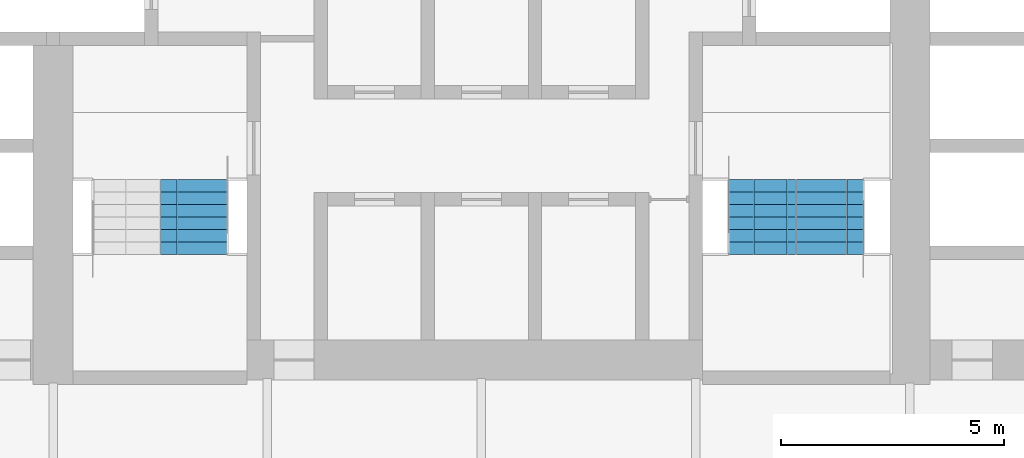
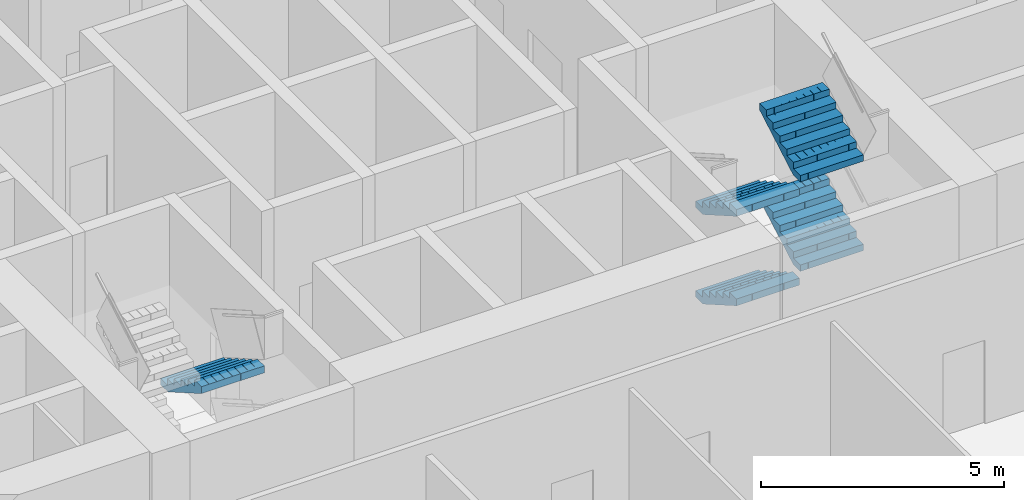
# One storey, part 21 of 27: 5 stair flights, 2 elements without a shape of their own.
"""IFC4 building model written with IfcOpenShell, lengths in metres."""

import ifcopenshell
import ifcopenshell.guid

model = None  # the IFC model being written
_history = None  # IfcOwnerHistory: only IFC2X3 demands one
_inside = {}  # id of a spatial element -> (the spatial element, [elements in it])
_under = {}  # id of a project, library or spatial element -> (it, [spatial elements below it])
_declared = {}  # id of a project -> (the project, [libraries it declares])
_typed = {}  # id of a type object -> (the type object, [elements of that type])
_made_of = {}  # id of a material, layer set ... -> (it, [elements and type objects made of it])


def new_model(schema):
    """Start an empty IFC model of exactly this schema.

    Asked for "IFC4X3", IfcOpenShell would pick the latest addendum, in which some entities
    have other attributes; the version numbers below select the first issue.
    IFC2X3 requires an IfcOwnerHistory on every rooted entity: one is made here for all.
    """
    global model, _history
    if schema == "IFC4X3":
        model = ifcopenshell.file(schema_version=(4, 3, 0, 0))
    else:
        model = ifcopenshell.file(schema=schema)
    _inside.clear()
    _under.clear()
    _declared.clear()
    _typed.clear()
    _made_of.clear()
    _history = None
    if model.schema == "IFC2X3":
        org = make("IfcOrganization", Name="unknown")
        user = make(
            "IfcPersonAndOrganization",
            ThePerson=make("IfcPerson", FamilyName="unknown"),
            TheOrganization=org,
        )
        app = make(
            "IfcApplication",
            ApplicationDeveloper=org,
            Version="unknown",
            ApplicationFullName="unknown",
            ApplicationIdentifier="unknown",
        )
        _history = make(
            "IfcOwnerHistory",
            OwningUser=user,
            OwningApplication=app,
            ChangeAction="ADDED",
            CreationDate=0,
        )
    return model


def make(cls, **values):
    """One entity of the class cls with the attributes given. An attribute that is None is left unset."""
    return model.create_entity(
        cls, **{name: value for name, value in values.items() if value is not None}
    )


def rooted(cls, **values):
    """An entity with a GlobalId (a new one), such as an element, a storey or a relation."""
    return make(cls, GlobalId=ifcopenshell.guid.new(), OwnerHistory=_history, **values)


def si_unit(unit_type, name, prefix=None):
    """IfcSIUnit, for example si_unit("LENGTHUNIT", "METRE", prefix="MILLI")."""
    return make("IfcSIUnit", UnitType=unit_type, Prefix=prefix, Name=name)


def assignment(units):
    """IfcUnitAssignment: the units of a project."""
    return None if units is None else make("IfcUnitAssignment", Units=units)


def point(xyz):
    """IfcCartesianPoint."""
    return None if xyz is None else make("IfcCartesianPoint", Coordinates=xyz)


def direction(xyz):
    """IfcDirection."""
    return None if xyz is None else make("IfcDirection", DirectionRatios=xyz)


def frame(location, z_axis=None, x_axis=None):
    """IfcAxis2Placement3D, a coordinate frame: its origin and axes. An axis left out is left unset."""
    return make(
        "IfcAxis2Placement3D",
        Location=point(location),
        Axis=direction(z_axis),
        RefDirection=direction(x_axis),
    )


def origin():
    """The frame at (0, 0, 0) with its axes left unset."""
    return frame((0.0, 0.0, 0.0))


def place(relative_to, where):
    """IfcLocalPlacement: puts the frame where relative to a parent placement (None: the world)."""
    return make(
        "IfcLocalPlacement", PlacementRelTo=relative_to, RelativePlacement=where
    )


def context(
    kind, dimensions, precision=None, world=None, true_north=None, identifier=None
):
    """IfcGeometricRepresentationContext, for example the 3D "Model" context."""
    return make(
        "IfcGeometricRepresentationContext",
        ContextIdentifier=identifier,
        ContextType=kind,
        CoordinateSpaceDimension=dimensions,
        Precision=precision,
        WorldCoordinateSystem=world,
        TrueNorth=true_north,
    )


def subcontext(parent, identifier, kind, view, scale=None):
    """IfcGeometricRepresentationSubContext, for example "Body" below "Model"."""
    return make(
        "IfcGeometricRepresentationSubContext",
        ContextIdentifier=identifier,
        ContextType=kind,
        ParentContext=parent,
        TargetScale=scale,
        TargetView=view,
    )


def project(units=None, contexts=None):
    """IfcProject with its units and contexts."""
    return rooted(
        "IfcProject",
        Name="project",
        RepresentationContexts=contexts,
        UnitsInContext=assignment(units),
    )


def spatial(cls, under=None, at=None, **own):
    """A site, building, storey or space (cls), placed at a placement, below another one or the project."""
    s = rooted(cls, ObjectPlacement=at, **own)
    if under is not None:
        _under.setdefault(under.id(), (under, []))[1].append(s)
    return s


def polyline(points):
    """IfcPolyline through the points."""
    return make("IfcPolyline", Points=[point(p) for p in points])


def outline(outer, holes=None, kind="AREA"):
    """IfcArbitraryClosedProfileDef: a profile drawn as a closed curve; with holes, ...WithVoids."""
    if holes is None:
        return make("IfcArbitraryClosedProfileDef", ProfileType=kind, OuterCurve=outer)
    return make(
        "IfcArbitraryProfileDefWithVoids",
        ProfileType=kind,
        OuterCurve=outer,
        InnerCurves=holes,
    )


def extrude(swept, where, along, depth):
    """IfcExtrudedAreaSolid: the profile swept, set in the frame where, extruded along a direction by depth."""
    return make(
        "IfcExtrudedAreaSolid",
        SweptArea=swept,
        Position=where,
        ExtrudedDirection=direction(along),
        Depth=depth,
    )


def shape(context_of_items, identifier, shape_type, items):
    """IfcShapeRepresentation: the items that make up one representation, for example the "Body"."""
    return make(
        "IfcShapeRepresentation",
        ContextOfItems=context_of_items,
        RepresentationIdentifier=identifier,
        RepresentationType=shape_type,
        Items=items,
    )


def material(Name=None, Category=None):
    """IfcMaterial."""
    return make("IfcMaterial", Name=Name, Category=Category)


def made_of(thing, what):
    """Note that an element or type object is made of a material, layer set ...; save() writes the relation."""
    if what is not None:
        _made_of.setdefault(what.id(), (what, []))[1].append(thing)
    return thing


def type_object(cls, material=None, **own):
    """A type object (cls), such as IfcWallType, which elements share."""
    return made_of(rooted(cls, **own), material)


def element(
    cls,
    number,
    at=None,
    inside=None,
    cuts=None,
    type_object=None,
    material=None,
    context=None,
    identifier="Body",
    shape_type=None,
    held_by="IfcProductDefinitionShape",
    body=None,
    shapes=None,
    **own,
):
    """One element of the class cls, such as IfcWall. Its Tag is "e" and its number.

    at: its placement. inside: the storey or other place that contains it. cuts: it is an
    opening in that element (IfcRelVoidsElement). A single representation is given by context,
    identifier, shape_type and body (its items); several are given by shapes. held_by: the class
    of the entity that holds the representations. save() writes the other relations.
    """
    e = rooted(cls, Tag="e%d" % number, ObjectPlacement=at, **own)
    if body is not None:
        shapes = [shape(context, identifier, shape_type, body)]
    if shapes is not None:
        e.Representation = make(held_by, Representations=shapes)
    if inside is not None:
        _inside.setdefault(inside.id(), (inside, []))[1].append(e)
    if cuts is not None:
        rooted(
            "IfcRelVoidsElement", RelatingBuildingElement=cuts, RelatedOpeningElement=e
        )
    if type_object is not None:
        _typed.setdefault(type_object.id(), (type_object, []))[1].append(e)
    return made_of(e, material)


def aggregate(whole, parts):
    """IfcRelAggregates: a whole, such as a stair, and the parts it consists of."""
    return rooted("IfcRelAggregates", RelatingObject=whole, RelatedObjects=parts)


def save(model, path):
    """Write the relations noted so far, then the file.

    IfcRelAggregates (storeys below a building ...), IfcRelContainedInSpatialStructure (elements
    in a storey), IfcRelDefinesByType, IfcRelAssociatesMaterial and IfcRelDeclares: one each for
    every whole, place, type object, material and project.
    """
    for whole, parts in _under.values():
        aggregate(whole, parts)
    for where, things in _inside.values():
        rooted(
            "IfcRelContainedInSpatialStructure",
            RelatedElements=things,
            RelatingStructure=where,
        )
    for kind, things in _typed.values():
        rooted("IfcRelDefinesByType", RelatedObjects=things, RelatingType=kind)
    for what, things in _made_of.values():
        rooted("IfcRelAssociatesMaterial", RelatedObjects=things, RelatingMaterial=what)
    for by, libraries in _declared.values():
        rooted("IfcRelDeclares", RelatingContext=by, RelatedDefinitions=libraries)
    model.write(path)


model = new_model("IFC4")

# Units and contexts
model_context = context("Model", 3, precision=1e-05, world=origin(), true_north=direction((0.0, 1.0)))
body_context = subcontext(model_context, "Body", "Model", "MODEL_VIEW")
ifc_project = project(units=[si_unit("LENGTHUNIT", "METRE"), si_unit("AREAUNIT", "SQUARE_METRE"), si_unit("VOLUMEUNIT", "CUBIC_METRE"), si_unit("PLANEANGLEUNIT", "RADIAN"), si_unit("MASSUNIT", "GRAM", prefix="KILO")], contexts=[model_context])

# Site, building, storey
site_placement = place(None, origin())
site = spatial("IfcSite", under=ifc_project, at=site_placement, CompositionType="ELEMENT")
building_placement = place(site_placement, origin())
building = spatial("IfcBuilding", under=site, at=building_placement, Name="Kolab Exchange Tower", CompositionType="ELEMENT")
storey_placement = place(building_placement, frame((0.0, 0.0, 118.39990234375)))
storey = spatial("IfcBuildingStorey", under=building, at=storey_placement, Name="L23", CompositionType="ELEMENT", Elevation=118.39990234375)

# Stair, stair flight
ifc_material = material(Name="Concrete C50/60", Category="concrete")
stair_type_1 = type_object("IfcStairType", Name="STAIR ST3 RISER 160.7", PredefinedType="DOUBLE_RETURN_STAIR", material=ifc_material)
stair_1_placement = place(storey_placement, origin())
stair_1 = element("IfcStair", 1, at=stair_1_placement, inside=storey, type_object=stair_type_1, Name="Stair 3", PredefinedType="DOUBLE_RETURN_STAIR")
stair_flight_type = type_object("IfcStairFlightType", Name="STAIR FLIGHT 1500 RISER 160.7", PredefinedType="STRAIGHT", material=ifc_material)
stair_flight_1_placement = place(storey_placement, frame((-6.43994140625, -5.550048828125, 2.25), z_axis=(0.0, 0.0, 1.0), x_axis=(0.0, -1.0, 0.0)))
stair_flight_1 = element("IfcStairFlight", 2, at=stair_flight_1_placement, type_object=stair_flight_type, Name="ST3 flight 3", NumberOfRisers=7, NumberOfTreads=6, PredefinedType="STRAIGHT", RiserHeight=0.160714286, TreadLength=0.28, context=body_context, shape_type="SweptSolid", body=[
    extrude(outline(polyline([(0.0, 0.0), (0.0, 0.16064453125), (0.280029296875, 0.16064453125), (0.280029296875, 0.321533203125), (0.56005859375, 0.321533203125), (0.56005859375, 0.482177734375), (0.840087890625, 0.482177734375), (0.840087890625, 0.642822265625), (1.1201171875, 0.642822265625), (1.1201171875, 0.803466796875), (1.39990234375, 0.803466796875), (1.39990234375, 0.96435546875), (1.679931640625, 0.96435546875), (1.679931640625, 1.125), (1.679931640625, 0.79150390625), (0.301025390625, 0.0), (0.0, 0.0)])), frame((0.0, 0.75, 0.0), z_axis=(0.0, -1.0, 0.0), x_axis=(1.0, 0.0, 0.0)), (0.0, 0.0, 1.0), 0.185791015625),
    extrude(outline(polyline([(0.0, 0.0), (0.0, 0.16064453125), (0.280029296875, 0.16064453125), (0.280029296875, 0.321533203125), (0.56005859375, 0.321533203125), (0.56005859375, 0.482177734375), (0.840087890625, 0.482177734375), (0.840087890625, 0.642822265625), (1.1201171875, 0.642822265625), (1.1201171875, 0.803466796875), (1.39990234375, 0.803466796875), (1.39990234375, 0.96435546875), (1.679931640625, 0.96435546875), (1.679931640625, 1.125), (1.679931640625, 0.79150390625), (0.301025390625, 0.0), (0.0, 0.0)])), frame((0.0, 0.562255859375, 0.0), z_axis=(0.0, -1.0, 0.0), x_axis=(1.0, 0.0, 0.0)), (0.0, 0.0, 1.0), 0.185791015625),
    extrude(outline(polyline([(0.0, 0.0), (0.0, 0.16064453125), (0.280029296875, 0.16064453125), (0.280029296875, 0.321533203125), (0.56005859375, 0.321533203125), (0.56005859375, 0.482177734375), (0.840087890625, 0.482177734375), (0.840087890625, 0.642822265625), (1.1201171875, 0.642822265625), (1.1201171875, 0.803466796875), (1.39990234375, 0.803466796875), (1.39990234375, 0.96435546875), (1.679931640625, 0.96435546875), (1.679931640625, 1.125), (1.679931640625, 0.79150390625), (0.301025390625, 0.0), (0.0, 0.0)])), frame((0.0, 0.37451171875, 0.0), z_axis=(0.0, -1.0, 0.0), x_axis=(1.0, 0.0, 0.0)), (0.0, 0.0, 1.0), 0.185791015625),
    extrude(outline(polyline([(0.0, 0.0), (0.0, 0.16064453125), (0.280029296875, 0.16064453125), (0.280029296875, 0.321533203125), (0.56005859375, 0.321533203125), (0.56005859375, 0.482177734375), (0.840087890625, 0.482177734375), (0.840087890625, 0.642822265625), (1.1201171875, 0.642822265625), (1.1201171875, 0.803466796875), (1.39990234375, 0.803466796875), (1.39990234375, 0.96435546875), (1.679931640625, 0.96435546875), (1.679931640625, 1.125), (1.679931640625, 0.79150390625), (0.301025390625, 0.0), (0.0, 0.0)])), frame((0.0, 0.186767578125, 0.0), z_axis=(0.0, -1.0, 0.0), x_axis=(1.0, 0.0, 0.0)), (0.0, 0.0, 1.0), 0.185791015625),
    extrude(outline(polyline([(0.0, 0.0), (0.0, 0.16064453125), (0.280029296875, 0.16064453125), (0.280029296875, 0.321533203125), (0.56005859375, 0.321533203125), (0.56005859375, 0.482177734375), (0.840087890625, 0.482177734375), (0.840087890625, 0.642822265625), (1.1201171875, 0.642822265625), (1.1201171875, 0.803466796875), (1.39990234375, 0.803466796875), (1.39990234375, 0.96435546875), (1.679931640625, 0.96435546875), (1.679931640625, 1.125), (1.679931640625, 0.79150390625), (0.301025390625, 0.0), (0.0, 0.0)])), frame((0.0, -0.0009765625, 0.0), z_axis=(0.0, -1.0, 0.0), x_axis=(1.0, 0.0, 0.0)), (0.0, 0.0, 1.0), 0.185791015625),
    extrude(outline(polyline([(0.0, 0.0), (0.0, 0.16064453125), (0.280029296875, 0.16064453125), (0.280029296875, 0.321533203125), (0.56005859375, 0.321533203125), (0.56005859375, 0.482177734375), (0.840087890625, 0.482177734375), (0.840087890625, 0.642822265625), (1.1201171875, 0.642822265625), (1.1201171875, 0.803466796875), (1.39990234375, 0.803466796875), (1.39990234375, 0.96435546875), (1.679931640625, 0.96435546875), (1.679931640625, 1.125), (1.679931640625, 0.79150390625), (0.301025390625, 0.0), (0.0, 0.0)])), frame((0.0, -0.188720703125, 0.0), z_axis=(0.0, -1.0, 0.0), x_axis=(1.0, 0.0, 0.0)), (0.0, 0.0, 1.0), 0.185791015625),
    extrude(outline(polyline([(0.0, 0.0), (0.0, 0.16064453125), (0.280029296875, 0.16064453125), (0.280029296875, 0.321533203125), (0.56005859375, 0.321533203125), (0.56005859375, 0.482177734375), (0.840087890625, 0.482177734375), (0.840087890625, 0.642822265625), (1.1201171875, 0.642822265625), (1.1201171875, 0.803466796875), (1.39990234375, 0.803466796875), (1.39990234375, 0.96435546875), (1.679931640625, 0.96435546875), (1.679931640625, 1.125), (1.679931640625, 0.79150390625), (0.301025390625, 0.0), (0.0, 0.0)])), frame((0.0, -0.37646484375, 0.0), z_axis=(0.0, -1.0, 0.0), x_axis=(1.0, 0.0, 0.0)), (0.0, 0.0, 1.0), 0.185791015625),
    extrude(outline(polyline([(0.0, 0.0), (0.0, 0.16064453125), (0.280029296875, 0.16064453125), (0.280029296875, 0.321533203125), (0.56005859375, 0.321533203125), (0.56005859375, 0.482177734375), (0.840087890625, 0.482177734375), (0.840087890625, 0.642822265625), (1.1201171875, 0.642822265625), (1.1201171875, 0.803466796875), (1.39990234375, 0.803466796875), (1.39990234375, 0.96435546875), (1.679931640625, 0.96435546875), (1.679931640625, 1.125), (1.679931640625, 0.79150390625), (0.301025390625, 0.0), (0.0, 0.0)])), frame((0.0, -0.564208984375, 0.0), z_axis=(0.0, -1.0, 0.0), x_axis=(1.0, 0.0, 0.0)), (0.0, 0.0, 1.0), 0.185791015625),
])
aggregate(stair_1, [stair_flight_1])

# Stair, stair flights
stair_type_2 = type_object("IfcStairType", Name="STAIR ST2 RISER 160.7", PredefinedType="DOUBLE_RETURN_STAIR", material=ifc_material)
stair_2_placement = place(storey_placement, origin())
stair_2 = element("IfcStair", 3, at=stair_2_placement, inside=storey, type_object=stair_type_2, Name="Stair 2", PredefinedType="DOUBLE_RETURN_STAIR")
stair_flight_2_placement = place(storey_placement, frame((6.2900390625, -5.550048828125, 0.0), z_axis=(0.0, 0.0, 1.0), x_axis=(0.0, -1.0, 0.0)))
stair_flight_2 = element("IfcStairFlight", 4, at=stair_flight_2_placement, type_object=stair_flight_type, Name="ST2 flight 1", NumberOfRisers=7, NumberOfTreads=6, PredefinedType="STRAIGHT", RiserHeight=0.160714286, TreadLength=0.28, context=body_context, shape_type="SweptSolid", body=[
    extrude(outline(polyline([(0.0, 0.0), (0.0, 0.16064453125), (0.280029296875, 0.16064453125), (0.280029296875, 0.321533203125), (0.56005859375, 0.321533203125), (0.56005859375, 0.482177734375), (0.840087890625, 0.482177734375), (0.840087890625, 0.642822265625), (1.1201171875, 0.642822265625), (1.1201171875, 0.803466796875), (1.39990234375, 0.803466796875), (1.39990234375, 0.96435546875), (1.679931640625, 0.96435546875), (1.679931640625, 1.125), (1.679931640625, 0.79150390625), (0.301025390625, 0.0), (0.0, 0.0)])), frame((0.0, 0.75, 0.0), z_axis=(0.0, -1.0, 0.0), x_axis=(1.0, 0.0, 0.0)), (0.0, 0.0, 1.0), 0.185791015625),
    extrude(outline(polyline([(0.0, 0.0), (0.0, 0.16064453125), (0.280029296875, 0.16064453125), (0.280029296875, 0.321533203125), (0.56005859375, 0.321533203125), (0.56005859375, 0.482177734375), (0.840087890625, 0.482177734375), (0.840087890625, 0.642822265625), (1.1201171875, 0.642822265625), (1.1201171875, 0.803466796875), (1.39990234375, 0.803466796875), (1.39990234375, 0.96435546875), (1.679931640625, 0.96435546875), (1.679931640625, 1.125), (1.679931640625, 0.79150390625), (0.301025390625, 0.0), (0.0, 0.0)])), frame((0.0, 0.562255859375, 0.0), z_axis=(0.0, -1.0, 0.0), x_axis=(1.0, 0.0, 0.0)), (0.0, 0.0, 1.0), 0.185791015625),
    extrude(outline(polyline([(0.0, 0.0), (0.0, 0.16064453125), (0.280029296875, 0.16064453125), (0.280029296875, 0.321533203125), (0.56005859375, 0.321533203125), (0.56005859375, 0.482177734375), (0.840087890625, 0.482177734375), (0.840087890625, 0.642822265625), (1.1201171875, 0.642822265625), (1.1201171875, 0.803466796875), (1.39990234375, 0.803466796875), (1.39990234375, 0.96435546875), (1.679931640625, 0.96435546875), (1.679931640625, 1.125), (1.679931640625, 0.79150390625), (0.301025390625, 0.0), (0.0, 0.0)])), frame((0.0, 0.37451171875, 0.0), z_axis=(0.0, -1.0, 0.0), x_axis=(1.0, 0.0, 0.0)), (0.0, 0.0, 1.0), 0.185791015625),
    extrude(outline(polyline([(0.0, 0.0), (0.0, 0.16064453125), (0.280029296875, 0.16064453125), (0.280029296875, 0.321533203125), (0.56005859375, 0.321533203125), (0.56005859375, 0.482177734375), (0.840087890625, 0.482177734375), (0.840087890625, 0.642822265625), (1.1201171875, 0.642822265625), (1.1201171875, 0.803466796875), (1.39990234375, 0.803466796875), (1.39990234375, 0.96435546875), (1.679931640625, 0.96435546875), (1.679931640625, 1.125), (1.679931640625, 0.79150390625), (0.301025390625, 0.0), (0.0, 0.0)])), frame((0.0, 0.186767578125, 0.0), z_axis=(0.0, -1.0, 0.0), x_axis=(1.0, 0.0, 0.0)), (0.0, 0.0, 1.0), 0.185791015625),
    extrude(outline(polyline([(0.0, 0.0), (0.0, 0.16064453125), (0.280029296875, 0.16064453125), (0.280029296875, 0.321533203125), (0.56005859375, 0.321533203125), (0.56005859375, 0.482177734375), (0.840087890625, 0.482177734375), (0.840087890625, 0.642822265625), (1.1201171875, 0.642822265625), (1.1201171875, 0.803466796875), (1.39990234375, 0.803466796875), (1.39990234375, 0.96435546875), (1.679931640625, 0.96435546875), (1.679931640625, 1.125), (1.679931640625, 0.79150390625), (0.301025390625, 0.0), (0.0, 0.0)])), frame((0.0, -0.0009765625, 0.0), z_axis=(0.0, -1.0, 0.0), x_axis=(1.0, 0.0, 0.0)), (0.0, 0.0, 1.0), 0.185791015625),
    extrude(outline(polyline([(0.0, 0.0), (0.0, 0.16064453125), (0.280029296875, 0.16064453125), (0.280029296875, 0.321533203125), (0.56005859375, 0.321533203125), (0.56005859375, 0.482177734375), (0.840087890625, 0.482177734375), (0.840087890625, 0.642822265625), (1.1201171875, 0.642822265625), (1.1201171875, 0.803466796875), (1.39990234375, 0.803466796875), (1.39990234375, 0.96435546875), (1.679931640625, 0.96435546875), (1.679931640625, 1.125), (1.679931640625, 0.79150390625), (0.301025390625, 0.0), (0.0, 0.0)])), frame((0.0, -0.188720703125, 0.0), z_axis=(0.0, -1.0, 0.0), x_axis=(1.0, 0.0, 0.0)), (0.0, 0.0, 1.0), 0.185791015625),
    extrude(outline(polyline([(0.0, 0.0), (0.0, 0.16064453125), (0.280029296875, 0.16064453125), (0.280029296875, 0.321533203125), (0.56005859375, 0.321533203125), (0.56005859375, 0.482177734375), (0.840087890625, 0.482177734375), (0.840087890625, 0.642822265625), (1.1201171875, 0.642822265625), (1.1201171875, 0.803466796875), (1.39990234375, 0.803466796875), (1.39990234375, 0.96435546875), (1.679931640625, 0.96435546875), (1.679931640625, 1.125), (1.679931640625, 0.79150390625), (0.301025390625, 0.0), (0.0, 0.0)])), frame((0.0, -0.37646484375, 0.0), z_axis=(0.0, -1.0, 0.0), x_axis=(1.0, 0.0, 0.0)), (0.0, 0.0, 1.0), 0.185791015625),
    extrude(outline(polyline([(0.0, 0.0), (0.0, 0.16064453125), (0.280029296875, 0.16064453125), (0.280029296875, 0.321533203125), (0.56005859375, 0.321533203125), (0.56005859375, 0.482177734375), (0.840087890625, 0.482177734375), (0.840087890625, 0.642822265625), (1.1201171875, 0.642822265625), (1.1201171875, 0.803466796875), (1.39990234375, 0.803466796875), (1.39990234375, 0.96435546875), (1.679931640625, 0.96435546875), (1.679931640625, 1.125), (1.679931640625, 0.79150390625), (0.301025390625, 0.0), (0.0, 0.0)])), frame((0.0, -0.564208984375, 0.0), z_axis=(0.0, -1.0, 0.0), x_axis=(1.0, 0.0, 0.0)), (0.0, 0.0, 1.0), 0.185791015625),
])
stair_flight_3_placement = place(storey_placement, frame((7.81005859375, -7.22998046875, 1.125), z_axis=(0.0, 0.0, 1.0), x_axis=(0.0, 1.0, 0.0)))
stair_flight_3 = element("IfcStairFlight", 5, at=stair_flight_3_placement, type_object=stair_flight_type, Name="ST2 flight 2", NumberOfRisers=7, NumberOfTreads=6, PredefinedType="STRAIGHT", RiserHeight=0.160714286, TreadLength=0.28, context=body_context, shape_type="SweptSolid", body=[
    extrude(outline(polyline([(0.0, 0.0), (0.0, 0.16064453125), (0.280029296875, 0.16064453125), (0.280029296875, 0.321533203125), (0.56005859375, 0.321533203125), (0.56005859375, 0.482177734375), (0.840087890625, 0.482177734375), (0.840087890625, 0.642822265625), (1.1201171875, 0.642822265625), (1.1201171875, 0.803466796875), (1.39990234375, 0.803466796875), (1.39990234375, 0.96435546875), (1.679931640625, 0.96435546875), (1.679931640625, 1.125), (1.679931640625, 0.79150390625), (0.301025390625, 0.0), (0.0, 0.0)])), frame((0.0, 0.75, 0.0), z_axis=(0.0, -1.0, 0.0), x_axis=(1.0, 0.0, 0.0)), (0.0, 0.0, 1.0), 0.185791015625),
    extrude(outline(polyline([(0.0, 0.0), (0.0, 0.16064453125), (0.280029296875, 0.16064453125), (0.280029296875, 0.321533203125), (0.56005859375, 0.321533203125), (0.56005859375, 0.482177734375), (0.840087890625, 0.482177734375), (0.840087890625, 0.642822265625), (1.1201171875, 0.642822265625), (1.1201171875, 0.803466796875), (1.39990234375, 0.803466796875), (1.39990234375, 0.96435546875), (1.679931640625, 0.96435546875), (1.679931640625, 1.125), (1.679931640625, 0.79150390625), (0.301025390625, 0.0), (0.0, 0.0)])), frame((0.0, 0.562255859375, 0.0), z_axis=(0.0, -1.0, 0.0), x_axis=(1.0, 0.0, 0.0)), (0.0, 0.0, 1.0), 0.185791015625),
    extrude(outline(polyline([(0.0, 0.0), (0.0, 0.16064453125), (0.280029296875, 0.16064453125), (0.280029296875, 0.321533203125), (0.56005859375, 0.321533203125), (0.56005859375, 0.482177734375), (0.840087890625, 0.482177734375), (0.840087890625, 0.642822265625), (1.1201171875, 0.642822265625), (1.1201171875, 0.803466796875), (1.39990234375, 0.803466796875), (1.39990234375, 0.96435546875), (1.679931640625, 0.96435546875), (1.679931640625, 1.125), (1.679931640625, 0.79150390625), (0.301025390625, 0.0), (0.0, 0.0)])), frame((0.0, 0.37451171875, 0.0), z_axis=(0.0, -1.0, 0.0), x_axis=(1.0, 0.0, 0.0)), (0.0, 0.0, 1.0), 0.185791015625),
    extrude(outline(polyline([(0.0, 0.0), (0.0, 0.16064453125), (0.280029296875, 0.16064453125), (0.280029296875, 0.321533203125), (0.56005859375, 0.321533203125), (0.56005859375, 0.482177734375), (0.840087890625, 0.482177734375), (0.840087890625, 0.642822265625), (1.1201171875, 0.642822265625), (1.1201171875, 0.803466796875), (1.39990234375, 0.803466796875), (1.39990234375, 0.96435546875), (1.679931640625, 0.96435546875), (1.679931640625, 1.125), (1.679931640625, 0.79150390625), (0.301025390625, 0.0), (0.0, 0.0)])), frame((0.0, 0.186767578125, 0.0), z_axis=(0.0, -1.0, 0.0), x_axis=(1.0, 0.0, 0.0)), (0.0, 0.0, 1.0), 0.185791015625),
    extrude(outline(polyline([(0.0, 0.0), (0.0, 0.16064453125), (0.280029296875, 0.16064453125), (0.280029296875, 0.321533203125), (0.56005859375, 0.321533203125), (0.56005859375, 0.482177734375), (0.840087890625, 0.482177734375), (0.840087890625, 0.642822265625), (1.1201171875, 0.642822265625), (1.1201171875, 0.803466796875), (1.39990234375, 0.803466796875), (1.39990234375, 0.96435546875), (1.679931640625, 0.96435546875), (1.679931640625, 1.125), (1.679931640625, 0.79150390625), (0.301025390625, 0.0), (0.0, 0.0)])), frame((0.0, -0.0009765625, 0.0), z_axis=(0.0, -1.0, 0.0), x_axis=(1.0, 0.0, 0.0)), (0.0, 0.0, 1.0), 0.185791015625),
    extrude(outline(polyline([(0.0, 0.0), (0.0, 0.16064453125), (0.280029296875, 0.16064453125), (0.280029296875, 0.321533203125), (0.56005859375, 0.321533203125), (0.56005859375, 0.482177734375), (0.840087890625, 0.482177734375), (0.840087890625, 0.642822265625), (1.1201171875, 0.642822265625), (1.1201171875, 0.803466796875), (1.39990234375, 0.803466796875), (1.39990234375, 0.96435546875), (1.679931640625, 0.96435546875), (1.679931640625, 1.125), (1.679931640625, 0.79150390625), (0.301025390625, 0.0), (0.0, 0.0)])), frame((0.0, -0.188720703125, 0.0), z_axis=(0.0, -1.0, 0.0), x_axis=(1.0, 0.0, 0.0)), (0.0, 0.0, 1.0), 0.185791015625),
    extrude(outline(polyline([(0.0, 0.0), (0.0, 0.16064453125), (0.280029296875, 0.16064453125), (0.280029296875, 0.321533203125), (0.56005859375, 0.321533203125), (0.56005859375, 0.482177734375), (0.840087890625, 0.482177734375), (0.840087890625, 0.642822265625), (1.1201171875, 0.642822265625), (1.1201171875, 0.803466796875), (1.39990234375, 0.803466796875), (1.39990234375, 0.96435546875), (1.679931640625, 0.96435546875), (1.679931640625, 1.125), (1.679931640625, 0.79150390625), (0.301025390625, 0.0), (0.0, 0.0)])), frame((0.0, -0.37646484375, 0.0), z_axis=(0.0, -1.0, 0.0), x_axis=(1.0, 0.0, 0.0)), (0.0, 0.0, 1.0), 0.185791015625),
    extrude(outline(polyline([(0.0, 0.0), (0.0, 0.16064453125), (0.280029296875, 0.16064453125), (0.280029296875, 0.321533203125), (0.56005859375, 0.321533203125), (0.56005859375, 0.482177734375), (0.840087890625, 0.482177734375), (0.840087890625, 0.642822265625), (1.1201171875, 0.642822265625), (1.1201171875, 0.803466796875), (1.39990234375, 0.803466796875), (1.39990234375, 0.96435546875), (1.679931640625, 0.96435546875), (1.679931640625, 1.125), (1.679931640625, 0.79150390625), (0.301025390625, 0.0), (0.0, 0.0)])), frame((0.0, -0.564208984375, 0.0), z_axis=(0.0, -1.0, 0.0), x_axis=(1.0, 0.0, 0.0)), (0.0, 0.0, 1.0), 0.185791015625),
])
stair_flight_4_placement = place(storey_placement, frame((6.2900390625, -5.550048828125, 2.25), z_axis=(0.0, 0.0, 1.0), x_axis=(0.0, -1.0, 0.0)))
stair_flight_4 = element("IfcStairFlight", 6, at=stair_flight_4_placement, type_object=stair_flight_type, Name="ST2 flight 3", NumberOfRisers=7, NumberOfTreads=6, PredefinedType="STRAIGHT", RiserHeight=0.160714286, TreadLength=0.28, context=body_context, shape_type="SweptSolid", body=[
    extrude(outline(polyline([(0.0, 0.0), (0.0, 0.16064453125), (0.280029296875, 0.16064453125), (0.280029296875, 0.321533203125), (0.56005859375, 0.321533203125), (0.56005859375, 0.482177734375), (0.840087890625, 0.482177734375), (0.840087890625, 0.642822265625), (1.1201171875, 0.642822265625), (1.1201171875, 0.803466796875), (1.39990234375, 0.803466796875), (1.39990234375, 0.96435546875), (1.679931640625, 0.96435546875), (1.679931640625, 1.125), (1.679931640625, 0.79150390625), (0.301025390625, 0.0), (0.0, 0.0)])), frame((0.0, 0.75, 0.0), z_axis=(0.0, -1.0, 0.0), x_axis=(1.0, 0.0, 0.0)), (0.0, 0.0, 1.0), 0.185791015625),
    extrude(outline(polyline([(0.0, 0.0), (0.0, 0.16064453125), (0.280029296875, 0.16064453125), (0.280029296875, 0.321533203125), (0.56005859375, 0.321533203125), (0.56005859375, 0.482177734375), (0.840087890625, 0.482177734375), (0.840087890625, 0.642822265625), (1.1201171875, 0.642822265625), (1.1201171875, 0.803466796875), (1.39990234375, 0.803466796875), (1.39990234375, 0.96435546875), (1.679931640625, 0.96435546875), (1.679931640625, 1.125), (1.679931640625, 0.79150390625), (0.301025390625, 0.0), (0.0, 0.0)])), frame((0.0, 0.562255859375, 0.0), z_axis=(0.0, -1.0, 0.0), x_axis=(1.0, 0.0, 0.0)), (0.0, 0.0, 1.0), 0.185791015625),
    extrude(outline(polyline([(0.0, 0.0), (0.0, 0.16064453125), (0.280029296875, 0.16064453125), (0.280029296875, 0.321533203125), (0.56005859375, 0.321533203125), (0.56005859375, 0.482177734375), (0.840087890625, 0.482177734375), (0.840087890625, 0.642822265625), (1.1201171875, 0.642822265625), (1.1201171875, 0.803466796875), (1.39990234375, 0.803466796875), (1.39990234375, 0.96435546875), (1.679931640625, 0.96435546875), (1.679931640625, 1.125), (1.679931640625, 0.79150390625), (0.301025390625, 0.0), (0.0, 0.0)])), frame((0.0, 0.37451171875, 0.0), z_axis=(0.0, -1.0, 0.0), x_axis=(1.0, 0.0, 0.0)), (0.0, 0.0, 1.0), 0.185791015625),
    extrude(outline(polyline([(0.0, 0.0), (0.0, 0.16064453125), (0.280029296875, 0.16064453125), (0.280029296875, 0.321533203125), (0.56005859375, 0.321533203125), (0.56005859375, 0.482177734375), (0.840087890625, 0.482177734375), (0.840087890625, 0.642822265625), (1.1201171875, 0.642822265625), (1.1201171875, 0.803466796875), (1.39990234375, 0.803466796875), (1.39990234375, 0.96435546875), (1.679931640625, 0.96435546875), (1.679931640625, 1.125), (1.679931640625, 0.79150390625), (0.301025390625, 0.0), (0.0, 0.0)])), frame((0.0, 0.186767578125, 0.0), z_axis=(0.0, -1.0, 0.0), x_axis=(1.0, 0.0, 0.0)), (0.0, 0.0, 1.0), 0.185791015625),
    extrude(outline(polyline([(0.0, 0.0), (0.0, 0.16064453125), (0.280029296875, 0.16064453125), (0.280029296875, 0.321533203125), (0.56005859375, 0.321533203125), (0.56005859375, 0.482177734375), (0.840087890625, 0.482177734375), (0.840087890625, 0.642822265625), (1.1201171875, 0.642822265625), (1.1201171875, 0.803466796875), (1.39990234375, 0.803466796875), (1.39990234375, 0.96435546875), (1.679931640625, 0.96435546875), (1.679931640625, 1.125), (1.679931640625, 0.79150390625), (0.301025390625, 0.0), (0.0, 0.0)])), frame((0.0, -0.0009765625, 0.0), z_axis=(0.0, -1.0, 0.0), x_axis=(1.0, 0.0, 0.0)), (0.0, 0.0, 1.0), 0.185791015625),
    extrude(outline(polyline([(0.0, 0.0), (0.0, 0.16064453125), (0.280029296875, 0.16064453125), (0.280029296875, 0.321533203125), (0.56005859375, 0.321533203125), (0.56005859375, 0.482177734375), (0.840087890625, 0.482177734375), (0.840087890625, 0.642822265625), (1.1201171875, 0.642822265625), (1.1201171875, 0.803466796875), (1.39990234375, 0.803466796875), (1.39990234375, 0.96435546875), (1.679931640625, 0.96435546875), (1.679931640625, 1.125), (1.679931640625, 0.79150390625), (0.301025390625, 0.0), (0.0, 0.0)])), frame((0.0, -0.188720703125, 0.0), z_axis=(0.0, -1.0, 0.0), x_axis=(1.0, 0.0, 0.0)), (0.0, 0.0, 1.0), 0.185791015625),
    extrude(outline(polyline([(0.0, 0.0), (0.0, 0.16064453125), (0.280029296875, 0.16064453125), (0.280029296875, 0.321533203125), (0.56005859375, 0.321533203125), (0.56005859375, 0.482177734375), (0.840087890625, 0.482177734375), (0.840087890625, 0.642822265625), (1.1201171875, 0.642822265625), (1.1201171875, 0.803466796875), (1.39990234375, 0.803466796875), (1.39990234375, 0.96435546875), (1.679931640625, 0.96435546875), (1.679931640625, 1.125), (1.679931640625, 0.79150390625), (0.301025390625, 0.0), (0.0, 0.0)])), frame((0.0, -0.37646484375, 0.0), z_axis=(0.0, -1.0, 0.0), x_axis=(1.0, 0.0, 0.0)), (0.0, 0.0, 1.0), 0.185791015625),
    extrude(outline(polyline([(0.0, 0.0), (0.0, 0.16064453125), (0.280029296875, 0.16064453125), (0.280029296875, 0.321533203125), (0.56005859375, 0.321533203125), (0.56005859375, 0.482177734375), (0.840087890625, 0.482177734375), (0.840087890625, 0.642822265625), (1.1201171875, 0.642822265625), (1.1201171875, 0.803466796875), (1.39990234375, 0.803466796875), (1.39990234375, 0.96435546875), (1.679931640625, 0.96435546875), (1.679931640625, 1.125), (1.679931640625, 0.79150390625), (0.301025390625, 0.0), (0.0, 0.0)])), frame((0.0, -0.564208984375, 0.0), z_axis=(0.0, -1.0, 0.0), x_axis=(1.0, 0.0, 0.0)), (0.0, 0.0, 1.0), 0.185791015625),
])
stair_flight_5_placement = place(storey_placement, frame((7.81005859375, -7.22998046875, 3.375), z_axis=(0.0, 0.0, 1.0), x_axis=(0.0, 1.0, 0.0)))
stair_flight_5 = element("IfcStairFlight", 7, at=stair_flight_5_placement, type_object=stair_flight_type, Name="ST2 flight 4", NumberOfRisers=7, NumberOfTreads=6, PredefinedType="STRAIGHT", RiserHeight=0.160714286, TreadLength=0.28, context=body_context, shape_type="SweptSolid", body=[
    extrude(outline(polyline([(0.0, 0.0), (0.0, 0.16064453125), (0.280029296875, 0.16064453125), (0.280029296875, 0.321533203125), (0.56005859375, 0.321533203125), (0.56005859375, 0.482177734375), (0.840087890625, 0.482177734375), (0.840087890625, 0.642822265625), (1.1201171875, 0.642822265625), (1.1201171875, 0.803466796875), (1.39990234375, 0.803466796875), (1.39990234375, 0.96435546875), (1.679931640625, 0.96435546875), (1.679931640625, 1.125), (1.679931640625, 0.79150390625), (0.301025390625, 0.0), (0.0, 0.0)])), frame((0.0, 0.75, 0.0), z_axis=(0.0, -1.0, 0.0), x_axis=(1.0, 0.0, 0.0)), (0.0, 0.0, 1.0), 0.185791015625),
    extrude(outline(polyline([(0.0, 0.0), (0.0, 0.16064453125), (0.280029296875, 0.16064453125), (0.280029296875, 0.321533203125), (0.56005859375, 0.321533203125), (0.56005859375, 0.482177734375), (0.840087890625, 0.482177734375), (0.840087890625, 0.642822265625), (1.1201171875, 0.642822265625), (1.1201171875, 0.803466796875), (1.39990234375, 0.803466796875), (1.39990234375, 0.96435546875), (1.679931640625, 0.96435546875), (1.679931640625, 1.125), (1.679931640625, 0.79150390625), (0.301025390625, 0.0), (0.0, 0.0)])), frame((0.0, 0.562255859375, 0.0), z_axis=(0.0, -1.0, 0.0), x_axis=(1.0, 0.0, 0.0)), (0.0, 0.0, 1.0), 0.185791015625),
    extrude(outline(polyline([(0.0, 0.0), (0.0, 0.16064453125), (0.280029296875, 0.16064453125), (0.280029296875, 0.321533203125), (0.56005859375, 0.321533203125), (0.56005859375, 0.482177734375), (0.840087890625, 0.482177734375), (0.840087890625, 0.642822265625), (1.1201171875, 0.642822265625), (1.1201171875, 0.803466796875), (1.39990234375, 0.803466796875), (1.39990234375, 0.96435546875), (1.679931640625, 0.96435546875), (1.679931640625, 1.125), (1.679931640625, 0.79150390625), (0.301025390625, 0.0), (0.0, 0.0)])), frame((0.0, 0.37451171875, 0.0), z_axis=(0.0, -1.0, 0.0), x_axis=(1.0, 0.0, 0.0)), (0.0, 0.0, 1.0), 0.185791015625),
    extrude(outline(polyline([(0.0, 0.0), (0.0, 0.16064453125), (0.280029296875, 0.16064453125), (0.280029296875, 0.321533203125), (0.56005859375, 0.321533203125), (0.56005859375, 0.482177734375), (0.840087890625, 0.482177734375), (0.840087890625, 0.642822265625), (1.1201171875, 0.642822265625), (1.1201171875, 0.803466796875), (1.39990234375, 0.803466796875), (1.39990234375, 0.96435546875), (1.679931640625, 0.96435546875), (1.679931640625, 1.125), (1.679931640625, 0.79150390625), (0.301025390625, 0.0), (0.0, 0.0)])), frame((0.0, 0.186767578125, 0.0), z_axis=(0.0, -1.0, 0.0), x_axis=(1.0, 0.0, 0.0)), (0.0, 0.0, 1.0), 0.185791015625),
    extrude(outline(polyline([(0.0, 0.0), (0.0, 0.16064453125), (0.280029296875, 0.16064453125), (0.280029296875, 0.321533203125), (0.56005859375, 0.321533203125), (0.56005859375, 0.482177734375), (0.840087890625, 0.482177734375), (0.840087890625, 0.642822265625), (1.1201171875, 0.642822265625), (1.1201171875, 0.803466796875), (1.39990234375, 0.803466796875), (1.39990234375, 0.96435546875), (1.679931640625, 0.96435546875), (1.679931640625, 1.125), (1.679931640625, 0.79150390625), (0.301025390625, 0.0), (0.0, 0.0)])), frame((0.0, -0.0009765625, 0.0), z_axis=(0.0, -1.0, 0.0), x_axis=(1.0, 0.0, 0.0)), (0.0, 0.0, 1.0), 0.185791015625),
    extrude(outline(polyline([(0.0, 0.0), (0.0, 0.16064453125), (0.280029296875, 0.16064453125), (0.280029296875, 0.321533203125), (0.56005859375, 0.321533203125), (0.56005859375, 0.482177734375), (0.840087890625, 0.482177734375), (0.840087890625, 0.642822265625), (1.1201171875, 0.642822265625), (1.1201171875, 0.803466796875), (1.39990234375, 0.803466796875), (1.39990234375, 0.96435546875), (1.679931640625, 0.96435546875), (1.679931640625, 1.125), (1.679931640625, 0.79150390625), (0.301025390625, 0.0), (0.0, 0.0)])), frame((0.0, -0.188720703125, 0.0), z_axis=(0.0, -1.0, 0.0), x_axis=(1.0, 0.0, 0.0)), (0.0, 0.0, 1.0), 0.185791015625),
    extrude(outline(polyline([(0.0, 0.0), (0.0, 0.16064453125), (0.280029296875, 0.16064453125), (0.280029296875, 0.321533203125), (0.56005859375, 0.321533203125), (0.56005859375, 0.482177734375), (0.840087890625, 0.482177734375), (0.840087890625, 0.642822265625), (1.1201171875, 0.642822265625), (1.1201171875, 0.803466796875), (1.39990234375, 0.803466796875), (1.39990234375, 0.96435546875), (1.679931640625, 0.96435546875), (1.679931640625, 1.125), (1.679931640625, 0.79150390625), (0.301025390625, 0.0), (0.0, 0.0)])), frame((0.0, -0.37646484375, 0.0), z_axis=(0.0, -1.0, 0.0), x_axis=(1.0, 0.0, 0.0)), (0.0, 0.0, 1.0), 0.185791015625),
    extrude(outline(polyline([(0.0, 0.0), (0.0, 0.16064453125), (0.280029296875, 0.16064453125), (0.280029296875, 0.321533203125), (0.56005859375, 0.321533203125), (0.56005859375, 0.482177734375), (0.840087890625, 0.482177734375), (0.840087890625, 0.642822265625), (1.1201171875, 0.642822265625), (1.1201171875, 0.803466796875), (1.39990234375, 0.803466796875), (1.39990234375, 0.96435546875), (1.679931640625, 0.96435546875), (1.679931640625, 1.125), (1.679931640625, 0.79150390625), (0.301025390625, 0.0), (0.0, 0.0)])), frame((0.0, -0.564208984375, 0.0), z_axis=(0.0, -1.0, 0.0), x_axis=(1.0, 0.0, 0.0)), (0.0, 0.0, 1.0), 0.185791015625),
])
aggregate(stair_2, [stair_flight_2, stair_flight_3, stair_flight_4, stair_flight_5])

save(model, "model.ifc")
